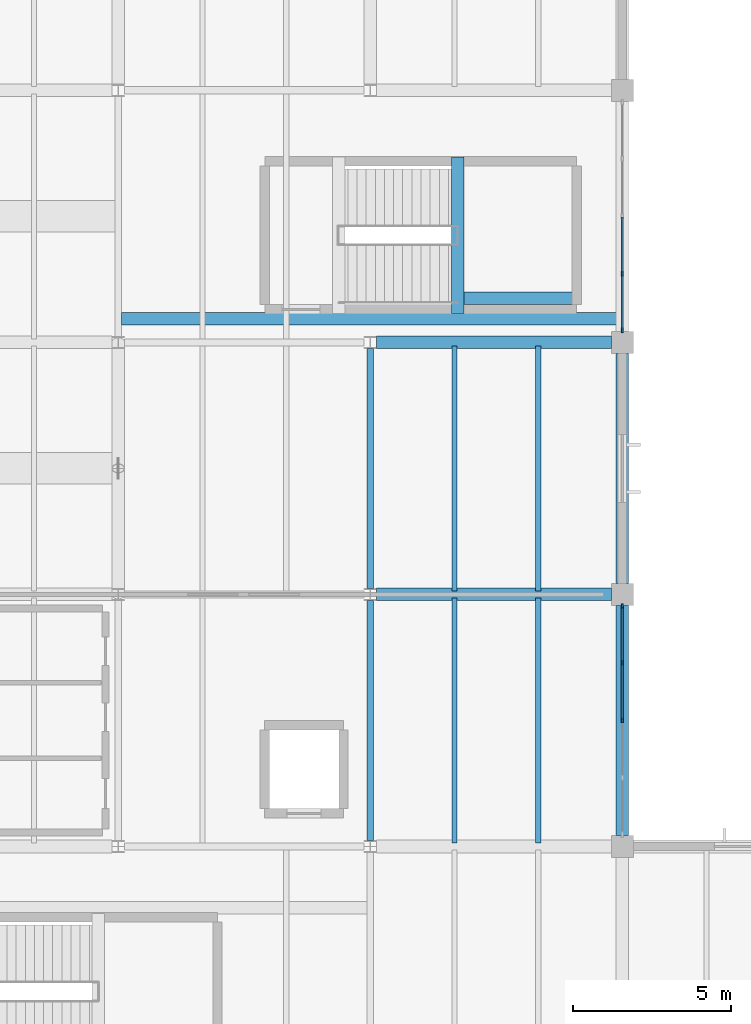
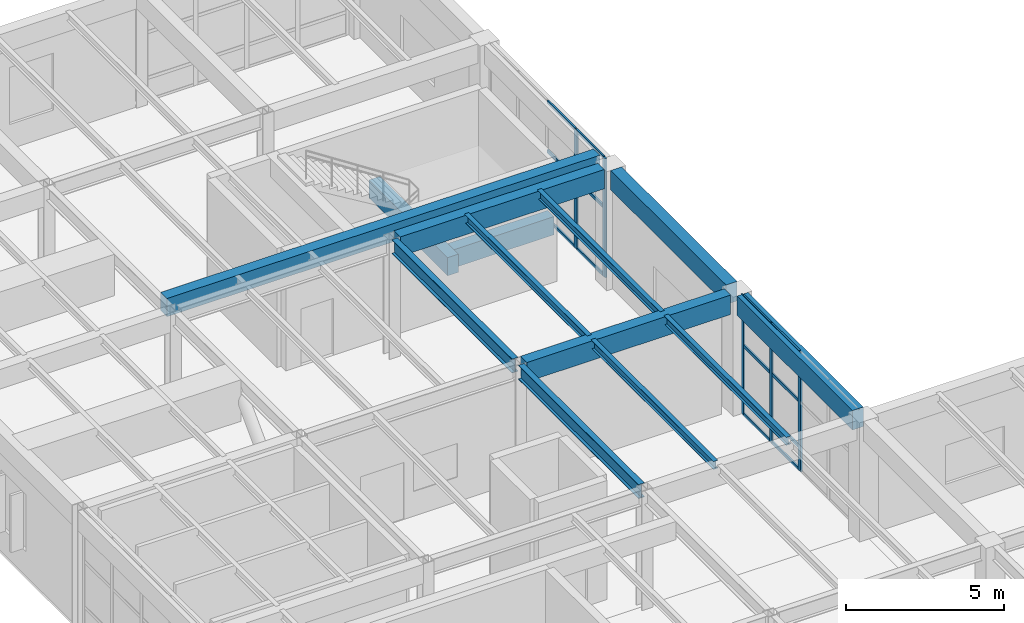
# One storey, part 30 of 60: 21 members, 13 beams, 2 elements without a shape of their own.
"""IFC4 building model written with IfcOpenShell, lengths in metres."""

import ifcopenshell
import ifcopenshell.guid

model = None  # the IFC model being written
_history = None  # IfcOwnerHistory: only IFC2X3 demands one
_inside = {}  # id of a spatial element -> (the spatial element, [elements in it])
_under = {}  # id of a project, library or spatial element -> (it, [spatial elements below it])
_declared = {}  # id of a project -> (the project, [libraries it declares])
_typed = {}  # id of a type object -> (the type object, [elements of that type])
_made_of = {}  # id of a material, layer set ... -> (it, [elements and type objects made of it])


def new_model(schema):
    """Start an empty IFC model of exactly this schema.

    Asked for "IFC4X3", IfcOpenShell would pick the latest addendum, in which some entities
    have other attributes; the version numbers below select the first issue.
    IFC2X3 requires an IfcOwnerHistory on every rooted entity: one is made here for all.
    """
    global model, _history
    if schema == "IFC4X3":
        model = ifcopenshell.file(schema_version=(4, 3, 0, 0))
    else:
        model = ifcopenshell.file(schema=schema)
    _inside.clear()
    _under.clear()
    _declared.clear()
    _typed.clear()
    _made_of.clear()
    _history = None
    if model.schema == "IFC2X3":
        org = make("IfcOrganization", Name="unknown")
        user = make(
            "IfcPersonAndOrganization",
            ThePerson=make("IfcPerson", FamilyName="unknown"),
            TheOrganization=org,
        )
        app = make(
            "IfcApplication",
            ApplicationDeveloper=org,
            Version="unknown",
            ApplicationFullName="unknown",
            ApplicationIdentifier="unknown",
        )
        _history = make(
            "IfcOwnerHistory",
            OwningUser=user,
            OwningApplication=app,
            ChangeAction="ADDED",
            CreationDate=0,
        )
    return model


def make(cls, **values):
    """One entity of the class cls with the attributes given. An attribute that is None is left unset."""
    return model.create_entity(
        cls, **{name: value for name, value in values.items() if value is not None}
    )


def rooted(cls, **values):
    """An entity with a GlobalId (a new one), such as an element, a storey or a relation."""
    return make(cls, GlobalId=ifcopenshell.guid.new(), OwnerHistory=_history, **values)


def si_unit(unit_type, name, prefix=None):
    """IfcSIUnit, for example si_unit("LENGTHUNIT", "METRE", prefix="MILLI")."""
    return make("IfcSIUnit", UnitType=unit_type, Prefix=prefix, Name=name)


def assignment(units):
    """IfcUnitAssignment: the units of a project."""
    return None if units is None else make("IfcUnitAssignment", Units=units)


def point(xyz):
    """IfcCartesianPoint."""
    return None if xyz is None else make("IfcCartesianPoint", Coordinates=xyz)


def direction(xyz):
    """IfcDirection."""
    return None if xyz is None else make("IfcDirection", DirectionRatios=xyz)


def frame(location, z_axis=None, x_axis=None):
    """IfcAxis2Placement3D, a coordinate frame: its origin and axes. An axis left out is left unset."""
    return make(
        "IfcAxis2Placement3D",
        Location=point(location),
        Axis=direction(z_axis),
        RefDirection=direction(x_axis),
    )


def frame_2d(location, x_axis=None):
    """IfcAxis2Placement2D, a coordinate frame in the plane: its origin and x axis."""
    return make(
        "IfcAxis2Placement2D", Location=point(location), RefDirection=direction(x_axis)
    )


def origin():
    """The frame at (0, 0, 0) with its axes left unset."""
    return frame((0.0, 0.0, 0.0))


def origin_2d():
    """The frame at (0, 0) in the plane with its x axis left unset."""
    return frame_2d((0.0, 0.0))


def place(relative_to, where):
    """IfcLocalPlacement: puts the frame where relative to a parent placement (None: the world)."""
    return make(
        "IfcLocalPlacement", PlacementRelTo=relative_to, RelativePlacement=where
    )


def context(
    kind, dimensions, precision=None, world=None, true_north=None, identifier=None
):
    """IfcGeometricRepresentationContext, for example the 3D "Model" context."""
    return make(
        "IfcGeometricRepresentationContext",
        ContextIdentifier=identifier,
        ContextType=kind,
        CoordinateSpaceDimension=dimensions,
        Precision=precision,
        WorldCoordinateSystem=world,
        TrueNorth=true_north,
    )


def subcontext(parent, identifier, kind, view, scale=None):
    """IfcGeometricRepresentationSubContext, for example "Body" below "Model"."""
    return make(
        "IfcGeometricRepresentationSubContext",
        ContextIdentifier=identifier,
        ContextType=kind,
        ParentContext=parent,
        TargetScale=scale,
        TargetView=view,
    )


def project(units=None, contexts=None):
    """IfcProject with its units and contexts."""
    return rooted(
        "IfcProject",
        Name="project",
        RepresentationContexts=contexts,
        UnitsInContext=assignment(units),
    )


def spatial(cls, under=None, at=None, **own):
    """A site, building, storey or space (cls), placed at a placement, below another one or the project."""
    s = rooted(cls, ObjectPlacement=at, **own)
    if under is not None:
        _under.setdefault(under.id(), (under, []))[1].append(s)
    return s


def profile(cls, at=None, kind="AREA", **sizes):
    """A parametric profile (cls). Its sizes go by their IFC names, for example OverallWidth=200.0."""
    return make(cls, ProfileType=kind, Position=at, **sizes)


def rectangle(**sizes):
    """IfcRectangleProfileDef."""
    return profile("IfcRectangleProfileDef", **sizes)


def i_section(**sizes):
    """IfcIShapeProfileDef."""
    return profile("IfcIShapeProfileDef", **sizes)


def extrude(swept, where, along, depth):
    """IfcExtrudedAreaSolid: the profile swept, set in the frame where, extruded along a direction by depth."""
    return make(
        "IfcExtrudedAreaSolid",
        SweptArea=swept,
        Position=where,
        ExtrudedDirection=direction(along),
        Depth=depth,
    )


def shape(context_of_items, identifier, shape_type, items):
    """IfcShapeRepresentation: the items that make up one representation, for example the "Body"."""
    return make(
        "IfcShapeRepresentation",
        ContextOfItems=context_of_items,
        RepresentationIdentifier=identifier,
        RepresentationType=shape_type,
        Items=items,
    )


def material(Name=None, Category=None):
    """IfcMaterial."""
    return make("IfcMaterial", Name=Name, Category=Category)


def layer(
    of_material, thickness, ventilated=None, Name=None, Category=None, Priority=None
):
    """IfcMaterialLayer: one layer of a wall or slab, of a material (None: an air gap)."""
    return make(
        "IfcMaterialLayer",
        Material=of_material,
        LayerThickness=thickness,
        IsVentilated=ventilated,
        Name=Name,
        Category=Category,
        Priority=Priority,
    )


def layer_set(layers, Name=None):
    """IfcMaterialLayerSet."""
    return make("IfcMaterialLayerSet", MaterialLayers=layers, LayerSetName=Name)


def material_profile(
    of_material, cross_section, Name=None, Category=None, Priority=None
):
    """IfcMaterialProfile: a cross section and its material."""
    return make(
        "IfcMaterialProfile",
        Name=Name,
        Material=of_material,
        Profile=cross_section,
        Priority=Priority,
        Category=Category,
    )


def profile_set(profiles, Name=None, composite=None):
    """IfcMaterialProfileSet."""
    return make(
        "IfcMaterialProfileSet",
        Name=Name,
        MaterialProfiles=profiles,
        CompositeProfile=composite,
    )


def made_of(thing, what):
    """Note that an element or type object is made of a material, layer set ...; save() writes the relation."""
    if what is not None:
        _made_of.setdefault(what.id(), (what, []))[1].append(thing)
    return thing


def type_object(cls, material=None, **own):
    """A type object (cls), such as IfcWallType, which elements share."""
    return made_of(rooted(cls, **own), material)


def element(
    cls,
    number,
    at=None,
    inside=None,
    cuts=None,
    type_object=None,
    material=None,
    context=None,
    identifier="Body",
    shape_type=None,
    held_by="IfcProductDefinitionShape",
    body=None,
    shapes=None,
    **own,
):
    """One element of the class cls, such as IfcWall. Its Tag is "e" and its number.

    at: its placement. inside: the storey or other place that contains it. cuts: it is an
    opening in that element (IfcRelVoidsElement). A single representation is given by context,
    identifier, shape_type and body (its items); several are given by shapes. held_by: the class
    of the entity that holds the representations. save() writes the other relations.
    """
    e = rooted(cls, Tag="e%d" % number, ObjectPlacement=at, **own)
    if body is not None:
        shapes = [shape(context, identifier, shape_type, body)]
    if shapes is not None:
        e.Representation = make(held_by, Representations=shapes)
    if inside is not None:
        _inside.setdefault(inside.id(), (inside, []))[1].append(e)
    if cuts is not None:
        rooted(
            "IfcRelVoidsElement", RelatingBuildingElement=cuts, RelatedOpeningElement=e
        )
    if type_object is not None:
        _typed.setdefault(type_object.id(), (type_object, []))[1].append(e)
    return made_of(e, material)


def aggregate(whole, parts):
    """IfcRelAggregates: a whole, such as a stair, and the parts it consists of."""
    return rooted("IfcRelAggregates", RelatingObject=whole, RelatedObjects=parts)


def save(model, path):
    """Write the relations noted so far, then the file.

    IfcRelAggregates (storeys below a building ...), IfcRelContainedInSpatialStructure (elements
    in a storey), IfcRelDefinesByType, IfcRelAssociatesMaterial and IfcRelDeclares: one each for
    every whole, place, type object, material and project.
    """
    for whole, parts in _under.values():
        aggregate(whole, parts)
    for where, things in _inside.values():
        rooted(
            "IfcRelContainedInSpatialStructure",
            RelatedElements=things,
            RelatingStructure=where,
        )
    for kind, things in _typed.values():
        rooted("IfcRelDefinesByType", RelatedObjects=things, RelatingType=kind)
    for what, things in _made_of.values():
        rooted("IfcRelAssociatesMaterial", RelatedObjects=things, RelatingMaterial=what)
    for by, libraries in _declared.values():
        rooted("IfcRelDeclares", RelatingContext=by, RelatedDefinitions=libraries)
    model.write(path)


model = new_model("IFC4")

# Units and contexts
model_context = context("Model", 3, precision=1e-05, world=origin(), true_north=direction((0.0, 1.0)))
body_context = subcontext(model_context, "Body", "Model", "MODEL_VIEW")
ifc_project = project(units=[si_unit("LENGTHUNIT", "METRE"), si_unit("AREAUNIT", "SQUARE_METRE"), si_unit("VOLUMEUNIT", "CUBIC_METRE"), si_unit("PLANEANGLEUNIT", "RADIAN"), si_unit("MASSUNIT", "GRAM", prefix="KILO")], contexts=[model_context])

# Site, building, storey
site_placement = place(None, origin())
site = spatial("IfcSite", under=ifc_project, at=site_placement, CompositionType="ELEMENT")
building_placement = place(site_placement, origin())
building = spatial("IfcBuilding", under=site, at=building_placement, Name="Varnela Railside Interchange", CompositionType="ELEMENT")
storey_placement = place(building_placement, frame((0.0, 0.0, 6.300048828125)))
storey = spatial("IfcBuildingStorey", under=building, at=storey_placement, Name="L01", CompositionType="ELEMENT", Elevation=6.300048828125)

# Beams
ifc_material_1 = material(Name="Steel AR 350 (350 MPa)", Category="steel")
ifc_material_profile_1 = material_profile(ifc_material_1, i_section(OverallWidth=0.1650390625, OverallDepth=0.31005859375, WebThickness=0.005859375, FlangeThickness=0.009765625, at=origin_2d()), Name="W310x38.7")
ifc_profile_set_1 = profile_set([ifc_material_profile_1], Name="Steel AR 350 (350 MPa)")
beam_type_1 = type_object("IfcBeamType", Name="Composite Floor Joist J-04", PredefinedType="JOIST", material=ifc_profile_set_1)
for number, where, z_axis, x_axis, name in (
    (1, (134.669921875, 62.114501953125, 4.445068359375), (0.0, 1.0, 0.0), (-1.0, 0.0, 0.0), "Composite Floor Joist J-04 (L01) (BM-1516)"),
    (2, (137.330078125, 62.114501953125, 4.445068359375), (0.0, 1.0, 0.0), (-1.0, 0.0, 0.0), "Composite Floor Joist J-04 (L01) (BM-1517)"),
    (3, (134.669921875, 70.114501953125, 4.445068359375), (0.0, 1.0, 0.0), (-1.0, 0.0, 0.0), "Composite Floor Joist J-04 (L01) (BM-1518)"),
    (4, (137.330078125, 70.114501953125, 4.445068359375), (0.0, 1.0, 0.0), (-1.0, 0.0, 0.0), "Composite Floor Joist J-04 (L01) (BM-1519)"),
):
    element("IfcBeam", number, at=place(storey_placement, frame(where, z_axis=z_axis, x_axis=x_axis)), inside=storey, type_object=beam_type_1, Name=name, PredefinedType="JOIST", context=body_context, shape_type="SweptSolid", body=[
        extrude(i_section(OverallWidth=0.1650390625, OverallDepth=0.31005859375, WebThickness=0.005859375, FlangeThickness=0.009765625, at=origin_2d()), origin(), (0.0, 0.0, 1.0), 7.77099609375),
    ])
ifc_material_profile_2 = material_profile(ifc_material_1, i_section(OverallWidth=0.2119140625, OverallDepth=0.5439453125, WebThickness=0.01318359375, FlangeThickness=0.021240234375, at=origin_2d()), Name="W530x123")
ifc_profile_set_2 = profile_set([ifc_material_profile_2], Name="Steel AR 350 (350 MPa)")
beam_type_2 = type_object("IfcBeamType", Name="Composite Heavy Girder B-16", PredefinedType="BEAM", material=ifc_profile_set_2)
for number, where, z_axis, x_axis, name in (
    (5, (132.0, 62.193603515625, 4.327880859375), (0.0, 1.0, 0.0), (-1.0, 0.0, 0.0), "Composite Heavy Girder B-16 (L01) (BM-1725)"),
    (6, (132.0, 70.193603515625, 4.327880859375), (0.0, 1.0, 0.0), (-1.0, 0.0, 0.0), "Composite Heavy Girder B-16 (L01) (BM-1726)"),
):
    element("IfcBeam", number, at=place(storey_placement, frame(where, z_axis=z_axis, x_axis=x_axis)), inside=storey, type_object=beam_type_2, Name=name, PredefinedType="BEAM", context=body_context, shape_type="SweptSolid", body=[
        extrude(i_section(OverallWidth=0.2119140625, OverallDepth=0.5439453125, WebThickness=0.01318359375, FlangeThickness=0.021240234375, at=origin_2d()), origin(), (0.0, 0.0, 1.0), 7.61279296875),
    ])
ifc_material_2 = material(Name="Concrete C40", Category="concrete")
ifc_material_profile_3 = material_profile(ifc_material_2, rectangle(XDim=0.39990234375, YDim=0.699951171875, at=origin_2d()), Name="RC 400x700")
ifc_profile_set_3 = profile_set([ifc_material_profile_3], Name="Concrete C40")
beam_type_3 = type_object("IfcBeamType", Name="Concrete Tie Beam B-01", PredefinedType="BEAM", material=ifc_profile_set_3)
beam_1_placement = place(storey_placement, frame((124.10107421875, 78.75, 4.25), z_axis=(1.0, 0.0, 0.0), x_axis=(0.0, 1.0, 0.0)))
element("IfcBeam", 7, at=beam_1_placement, inside=storey, type_object=beam_type_3, Name="Concrete Tie Beam B-01 (L01) (BM-1791)", PredefinedType="BEAM", context=body_context, shape_type="SweptSolid", body=[
    extrude(rectangle(XDim=0.39990234375, YDim=0.699951171875, at=origin_2d()), origin(), (0.0, 0.0, 1.0), 15.81884765625),
])
beam_2_placement = place(storey_placement, frame((134.77001953125, 78.919921875, 1.93994140625), z_axis=(0.0, 1.0, 0.0), x_axis=(-1.0, 0.0, 0.0)))
element("IfcBeam", 8, at=beam_2_placement, inside=storey, type_object=beam_type_3, Name="Concrete Tie Beam B-01 (L01) (BM-1808)", PredefinedType="BEAM", context=body_context, shape_type="SweptSolid", body=[
    extrude(rectangle(XDim=0.39990234375, YDim=0.699951171875, at=origin_2d()), origin(), (0.0, 0.0, 1.0), 4.9599609375),
])
beam_3_placement = place(storey_placement, frame((134.969970703125, 79.39990234375, 1.93994140625), z_axis=(1.0, 0.0, 0.0), x_axis=(0.0, 1.0, 0.0)))
element("IfcBeam", 9, at=beam_3_placement, inside=storey, type_object=beam_type_3, Name="Concrete Tie Beam B-01 (L01) (BM-1797)", PredefinedType="BEAM", context=body_context, shape_type="SweptSolid", body=[
    extrude(rectangle(XDim=0.39990234375, YDim=0.699951171875, at=origin_2d()), origin(), (0.0, 0.0, 1.0), 3.650146484375),
])

# Curtain wall, members
ifc_material_3 = material(Name="Aluminium 6063-T6", Category="aluminium")
ifc_layer = layer(ifc_material_3, 0.035888671875)
ifc_layer_set = layer_set([ifc_layer], Name="Aluminium 6063-T6")
curtain_wall_type = type_object("IfcCurtainWallType", Name="Study Pavilion Gallery Curtain Wall CW-02", PredefinedType="USERDEFINED", material=ifc_layer_set)
curtain_wall_1_placement = place(storey_placement, origin())
curtain_wall_1 = element("IfcCurtainWall", 10, at=curtain_wall_1_placement, inside=storey, type_object=curtain_wall_type, Name="Curtain Wall CW-02 (L01) (CW-033)", ObjectType="CURTAIN WALL", PredefinedType="USERDEFINED")
ifc_material_profile_4 = material_profile(ifc_material_3, rectangle(XDim=0.06005859375, YDim=0.159912109375, at=origin_2d()), Name="ALU 60x160")
ifc_profile_set_4 = profile_set([ifc_material_profile_4], Name="Aluminium 6063-T6")
member_type_1 = type_object("IfcMemberType", Name="Curtain Wall Mullion ML-02", PredefinedType="MULLION", material=ifc_profile_set_4)
member_1_placement = place(storey_placement, frame((140.0, 80.175048828125, 0.0), z_axis=(0.0, 0.0, 1.0), x_axis=(1.0, 0.0, 0.0)))
member_1 = element("IfcMember", 11, at=member_1_placement, type_object=member_type_1, Name="CW-02 mullion 4", PredefinedType="MULLION", context=body_context, shape_type="SweptSolid", body=[
    extrude(rectangle(XDim=0.06005859375, YDim=0.159912109375, at=origin_2d()), origin(), (0.0, 0.0, 1.0), 4.599853515625),
])
member_2_placement = place(storey_placement, frame((140.0, 78.3798828125, 0.0), z_axis=(0.0, 0.0, 1.0), x_axis=(1.0, 0.0, 0.0)))
member_2 = element("IfcMember", 12, at=member_2_placement, type_object=member_type_1, Name="CW-02 mullion 5", PredefinedType="MULLION", context=body_context, shape_type="SweptSolid", body=[
    extrude(rectangle(XDim=0.06005859375, YDim=0.159912109375, at=origin_2d()), origin(), (0.0, 0.0, 1.0), 4.599853515625),
])

curtain_wall_2_placement = place(storey_placement, origin())
curtain_wall_2 = element("IfcCurtainWall", 13, at=curtain_wall_2_placement, inside=storey, type_object=curtain_wall_type, Name="Curtain Wall CW-02 (L01) (CW-035)", ObjectType="CURTAIN WALL", PredefinedType="USERDEFINED")
member_3_placement = place(storey_placement, frame((140.0, 69.6201171875, 0.0), z_axis=(0.0, 0.0, 1.0), x_axis=(1.0, 0.0, 0.0)))
member_3 = element("IfcMember", 14, at=member_3_placement, type_object=member_type_1, Name="CW-02 mullion 1", PredefinedType="MULLION", context=body_context, shape_type="SweptSolid", body=[
    extrude(rectangle(XDim=0.06005859375, YDim=0.159912109375, at=origin_2d()), origin(), (0.0, 0.0, 1.0), 4.599853515625),
])
member_4_placement = place(storey_placement, frame((140.0, 67.824951171875, 0.0), z_axis=(0.0, 0.0, 1.0), x_axis=(1.0, 0.0, 0.0)))
member_4 = element("IfcMember", 15, at=member_4_placement, type_object=member_type_1, Name="CW-02 mullion 2", PredefinedType="MULLION", context=body_context, shape_type="SweptSolid", body=[
    extrude(rectangle(XDim=0.06005859375, YDim=0.159912109375, at=origin_2d()), origin(), (0.0, 0.0, 1.0), 4.599853515625),
])
member_5_placement = place(storey_placement, frame((140.0, 66.0, 0.0), z_axis=(0.0, 0.0, 1.0), x_axis=(1.0, 0.0, 0.0)))
member_5 = element("IfcMember", 16, at=member_5_placement, type_object=member_type_1, Name="CW-02 mullion 3", PredefinedType="MULLION", context=body_context, shape_type="SweptSolid", body=[
    extrude(rectangle(XDim=0.06005859375, YDim=0.159912109375, at=origin_2d()), origin(), (0.0, 0.0, 1.0), 4.599853515625),
])

# Member
ifc_material_profile_5 = material_profile(ifc_material_3, rectangle(XDim=0.06005859375, YDim=0.1201171875, at=origin_2d()), Name="ALU 60x120")
ifc_profile_set_5 = profile_set([ifc_material_profile_5], Name="Aluminium 6063-T6")
member_type_2 = type_object("IfcMemberType", Name="Curtain Wall Transom TR-02", PredefinedType="USERDEFINED", material=ifc_profile_set_5)
member_6_placement = place(storey_placement, frame((140.0, 81.969970703125, 0.030029296875), z_axis=(0.0, -1.0, 0.0), x_axis=(1.0, 0.0, 0.0)))
member_6 = element("IfcMember", 17, at=member_6_placement, type_object=member_type_2, Name="CW-02 transom 3.1", ObjectType="TRANSOM", PredefinedType="USERDEFINED", context=body_context, shape_type="SweptSolid", body=[
    extrude(rectangle(XDim=0.06005859375, YDim=0.1201171875, at=origin_2d()), origin(), (0.0, 0.0, 1.0), 1.764892578125),
])

member_7_placement = place(storey_placement, frame((140.0, 81.969970703125, 0.89990234375), z_axis=(0.0, -1.0, 0.0), x_axis=(1.0, 0.0, 0.0)))
member_7 = element("IfcMember", 18, at=member_7_placement, type_object=member_type_2, Name="CW-02 transom 3.2", ObjectType="TRANSOM", PredefinedType="USERDEFINED", context=body_context, shape_type="SweptSolid", body=[
    extrude(rectangle(XDim=0.06005859375, YDim=0.1201171875, at=origin_2d()), origin(), (0.0, 0.0, 1.0), 1.764892578125),
])

member_8_placement = place(storey_placement, frame((140.0, 81.969970703125, 2.66796875), z_axis=(0.0, -1.0, 0.0), x_axis=(1.0, 0.0, 0.0)))
member_8 = element("IfcMember", 19, at=member_8_placement, type_object=member_type_2, Name="CW-02 transom 3.3", ObjectType="TRANSOM", PredefinedType="USERDEFINED", context=body_context, shape_type="SweptSolid", body=[
    extrude(rectangle(XDim=0.06005859375, YDim=0.1201171875, at=origin_2d()), origin(), (0.0, 0.0, 1.0), 1.764892578125),
])

member_9_placement = place(storey_placement, frame((140.0, 81.969970703125, 4.570068359375), z_axis=(0.0, -1.0, 0.0), x_axis=(1.0, 0.0, 0.0)))
member_9 = element("IfcMember", 20, at=member_9_placement, type_object=member_type_2, Name="CW-02 transom 3.4", ObjectType="TRANSOM", PredefinedType="USERDEFINED", context=body_context, shape_type="SweptSolid", body=[
    extrude(rectangle(XDim=0.06005859375, YDim=0.1201171875, at=origin_2d()), origin(), (0.0, 0.0, 1.0), 1.764892578125),
])

member_10_placement = place(storey_placement, frame((140.0, 80.14501953125, 0.030029296875), z_axis=(0.0, -1.0, 0.0), x_axis=(1.0, 0.0, 0.0)))
member_10 = element("IfcMember", 21, at=member_10_placement, type_object=member_type_2, Name="CW-02 transom 4.1", ObjectType="TRANSOM", PredefinedType="USERDEFINED", context=body_context, shape_type="SweptSolid", body=[
    extrude(rectangle(XDim=0.06005859375, YDim=0.1201171875, at=origin_2d()), origin(), (0.0, 0.0, 1.0), 1.735107421875),
])

member_11_placement = place(storey_placement, frame((140.0, 80.14501953125, 0.89990234375), z_axis=(0.0, -1.0, 0.0), x_axis=(1.0, 0.0, 0.0)))
member_11 = element("IfcMember", 22, at=member_11_placement, type_object=member_type_2, Name="CW-02 transom 4.2", ObjectType="TRANSOM", PredefinedType="USERDEFINED", context=body_context, shape_type="SweptSolid", body=[
    extrude(rectangle(XDim=0.06005859375, YDim=0.1201171875, at=origin_2d()), origin(), (0.0, 0.0, 1.0), 1.735107421875),
])

member_12_placement = place(storey_placement, frame((140.0, 80.14501953125, 2.66796875), z_axis=(0.0, -1.0, 0.0), x_axis=(1.0, 0.0, 0.0)))
member_12 = element("IfcMember", 23, at=member_12_placement, type_object=member_type_2, Name="CW-02 transom 4.3", ObjectType="TRANSOM", PredefinedType="USERDEFINED", context=body_context, shape_type="SweptSolid", body=[
    extrude(rectangle(XDim=0.06005859375, YDim=0.1201171875, at=origin_2d()), origin(), (0.0, 0.0, 1.0), 1.735107421875),
])

member_13_placement = place(storey_placement, frame((140.0, 80.14501953125, 4.570068359375), z_axis=(0.0, -1.0, 0.0), x_axis=(1.0, 0.0, 0.0)))
member_13 = element("IfcMember", 24, at=member_13_placement, type_object=member_type_2, Name="CW-02 transom 4.4", ObjectType="TRANSOM", PredefinedType="USERDEFINED", context=body_context, shape_type="SweptSolid", body=[
    extrude(rectangle(XDim=0.06005859375, YDim=0.1201171875, at=origin_2d()), origin(), (0.0, 0.0, 1.0), 1.735107421875),
])

aggregate(curtain_wall_1, [member_1, member_2, member_6, member_7, member_8, member_9, member_10, member_11, member_12, member_13])

member_14_placement = place(storey_placement, frame((140.0, 69.590087890625, 0.030029296875), z_axis=(0.0, -1.0, 0.0), x_axis=(1.0, 0.0, 0.0)))
member_14 = element("IfcMember", 25, at=member_14_placement, type_object=member_type_2, Name="CW-02 transom 1.1", ObjectType="TRANSOM", PredefinedType="USERDEFINED", context=body_context, shape_type="SweptSolid", body=[
    extrude(rectangle(XDim=0.06005859375, YDim=0.1201171875, at=origin_2d()), origin(), (0.0, 0.0, 1.0), 1.735107421875),
])

member_15_placement = place(storey_placement, frame((140.0, 69.590087890625, 0.89990234375), z_axis=(0.0, -1.0, 0.0), x_axis=(1.0, 0.0, 0.0)))
member_15 = element("IfcMember", 26, at=member_15_placement, type_object=member_type_2, Name="CW-02 transom 1.2", ObjectType="TRANSOM", PredefinedType="USERDEFINED", context=body_context, shape_type="SweptSolid", body=[
    extrude(rectangle(XDim=0.06005859375, YDim=0.1201171875, at=origin_2d()), origin(), (0.0, 0.0, 1.0), 1.735107421875),
])

member_16_placement = place(storey_placement, frame((140.0, 69.590087890625, 2.66796875), z_axis=(0.0, -1.0, 0.0), x_axis=(1.0, 0.0, 0.0)))
member_16 = element("IfcMember", 27, at=member_16_placement, type_object=member_type_2, Name="CW-02 transom 1.3", ObjectType="TRANSOM", PredefinedType="USERDEFINED", context=body_context, shape_type="SweptSolid", body=[
    extrude(rectangle(XDim=0.06005859375, YDim=0.1201171875, at=origin_2d()), origin(), (0.0, 0.0, 1.0), 1.735107421875),
])

member_17_placement = place(storey_placement, frame((140.0, 69.590087890625, 4.570068359375), z_axis=(0.0, -1.0, 0.0), x_axis=(1.0, 0.0, 0.0)))
member_17 = element("IfcMember", 28, at=member_17_placement, type_object=member_type_2, Name="CW-02 transom 1.4", ObjectType="TRANSOM", PredefinedType="USERDEFINED", context=body_context, shape_type="SweptSolid", body=[
    extrude(rectangle(XDim=0.06005859375, YDim=0.1201171875, at=origin_2d()), origin(), (0.0, 0.0, 1.0), 1.735107421875),
])

member_18_placement = place(storey_placement, frame((140.0, 67.794921875, 0.030029296875), z_axis=(0.0, -1.0, 0.0), x_axis=(1.0, 0.0, 0.0)))
member_18 = element("IfcMember", 29, at=member_18_placement, type_object=member_type_2, Name="CW-02 transom 2.1", ObjectType="TRANSOM", PredefinedType="USERDEFINED", context=body_context, shape_type="SweptSolid", body=[
    extrude(rectangle(XDim=0.06005859375, YDim=0.1201171875, at=origin_2d()), origin(), (0.0, 0.0, 1.0), 1.764892578125),
])

member_19_placement = place(storey_placement, frame((140.0, 67.794921875, 0.89990234375), z_axis=(0.0, -1.0, 0.0), x_axis=(1.0, 0.0, 0.0)))
member_19 = element("IfcMember", 30, at=member_19_placement, type_object=member_type_2, Name="CW-02 transom 2.2", ObjectType="TRANSOM", PredefinedType="USERDEFINED", context=body_context, shape_type="SweptSolid", body=[
    extrude(rectangle(XDim=0.06005859375, YDim=0.1201171875, at=origin_2d()), origin(), (0.0, 0.0, 1.0), 1.764892578125),
])

member_20_placement = place(storey_placement, frame((140.0, 67.794921875, 2.66796875), z_axis=(0.0, -1.0, 0.0), x_axis=(1.0, 0.0, 0.0)))
member_20 = element("IfcMember", 31, at=member_20_placement, type_object=member_type_2, Name="CW-02 transom 2.3", ObjectType="TRANSOM", PredefinedType="USERDEFINED", context=body_context, shape_type="SweptSolid", body=[
    extrude(rectangle(XDim=0.06005859375, YDim=0.1201171875, at=origin_2d()), origin(), (0.0, 0.0, 1.0), 1.764892578125),
])

member_21_placement = place(storey_placement, frame((140.0, 67.794921875, 4.570068359375), z_axis=(0.0, -1.0, 0.0), x_axis=(1.0, 0.0, 0.0)))
member_21 = element("IfcMember", 32, at=member_21_placement, type_object=member_type_2, Name="CW-02 transom 2.4", ObjectType="TRANSOM", PredefinedType="USERDEFINED", context=body_context, shape_type="SweptSolid", body=[
    extrude(rectangle(XDim=0.06005859375, YDim=0.1201171875, at=origin_2d()), origin(), (0.0, 0.0, 1.0), 1.764892578125),
])

aggregate(curtain_wall_2, [member_3, member_4, member_5, member_14, member_15, member_16, member_17, member_18, member_19, member_20, member_21])

# Beams
ifc_material_4 = material(Name="Concrete C40 precast", Category="concrete")
ifc_material_profile_6 = material_profile(ifc_material_4, rectangle(XDim=0.39990234375, YDim=0.75, at=origin_2d()), Name="PC 400x750")
ifc_profile_set_6 = profile_set([ifc_material_profile_6], Name="Concrete C40 precast")
beam_type_4 = type_object("IfcBeamType", Name="Precast Facade Spandrel SP-03", PredefinedType="SPANDREL", material=ifc_profile_set_6)
for number, where, z_axis, x_axis, name in (
    (33, (132.198974609375, 70.0, 4.224853515625), (1.0, 0.0, 0.0), (0.0, 1.0, 0.0), "Precast Facade Spandrel SP-03 (L01) (BM-1671)"),
    (34, (132.198974609375, 78.0, 4.224853515625), (1.0, 0.0, 0.0), (0.0, 1.0, 0.0), "Precast Facade Spandrel SP-03 (L01) (BM-1678)"),
):
    element("IfcBeam", number, at=place(storey_placement, frame(where, z_axis=z_axis, x_axis=x_axis)), inside=storey, type_object=beam_type_4, Name=name, PredefinedType="SPANDREL", context=body_context, shape_type="SweptSolid", body=[
        extrude(rectangle(XDim=0.39990234375, YDim=0.75, at=origin_2d()), origin(), (0.0, 0.0, 1.0), 7.450927734375),
    ])
for number, where, z_axis, x_axis, name in (
    (35, (140.0, 62.35009765625, 4.224853515625), (0.0, 1.0, 0.0), (-1.0, 0.0, 0.0), "Precast Facade Spandrel SP-03 (L01) (BM-1731)"),
    (36, (140.0, 70.35009765625, 4.224853515625), (0.0, 1.0, 0.0), (-1.0, 0.0, 0.0), "Precast Facade Spandrel SP-03 (L01) (BM-1732)"),
):
    element("IfcBeam", number, at=place(storey_placement, frame(where, z_axis=z_axis, x_axis=x_axis)), inside=storey, type_object=beam_type_4, Name=name, PredefinedType="SPANDREL", context=body_context, shape_type="SweptSolid", body=[
        extrude(rectangle(XDim=0.39990234375, YDim=0.75, at=origin_2d()), origin(), (0.0, 0.0, 1.0), 7.2998046875),
    ])

save(model, "model.ifc")
